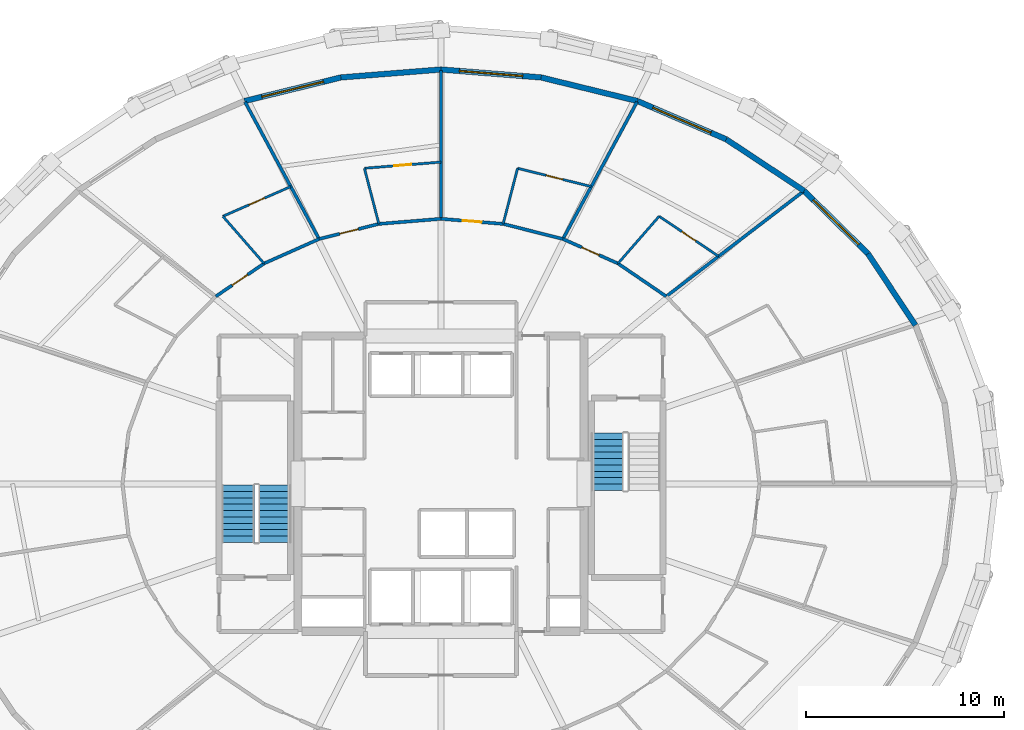
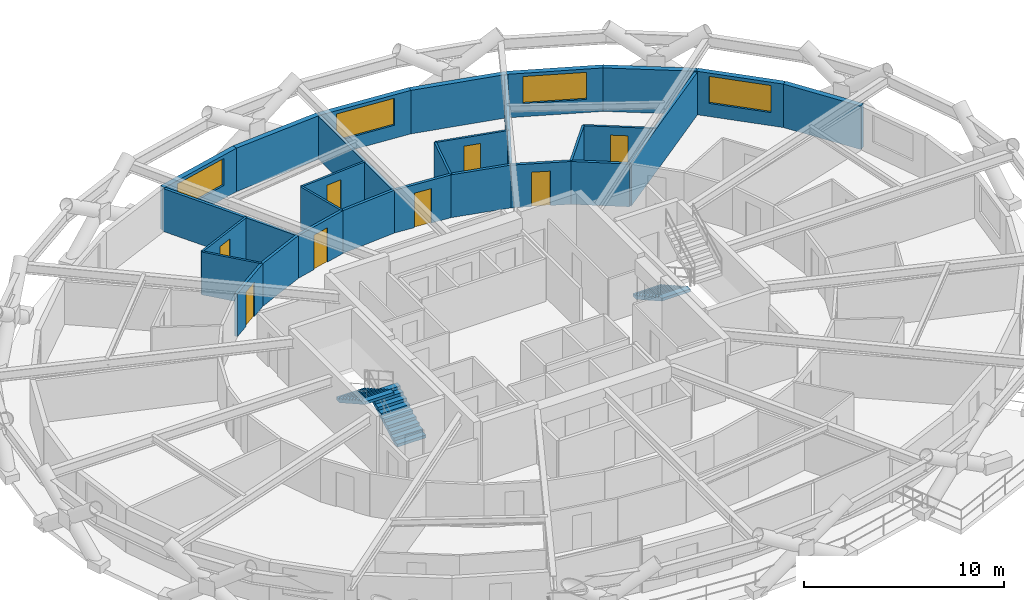
# One storey, part 11 of 13: 28 walls, 8 doors, 4 windows, 3 stair flights, 12 openings, 2 elements without a shape of their own.
"""IFC4 building model written with IfcOpenShell, lengths in metres."""

from ifc_helpers import new_model, si_unit, direction, frame, frame_2d, origin, place, context, subcontext, project, spatial, polyline, rectangle, outline, extrude, material, layer, layer_set, type_object, element, fill, aggregate, save


model = new_model("IFC4")

# Units and contexts
model_context = context("Model", 3, precision=1e-05, world=origin(), true_north=direction((0.0, 1.0)))
body_context = subcontext(model_context, "Body", "Model", "MODEL_VIEW")
ifc_project = project(units=[si_unit("LENGTHUNIT", "METRE"), si_unit("AREAUNIT", "SQUARE_METRE"), si_unit("VOLUMEUNIT", "CUBIC_METRE"), si_unit("PLANEANGLEUNIT", "RADIAN"), si_unit("MASSUNIT", "GRAM", prefix="KILO")], contexts=[model_context])

# Site, building, storey
site_placement = place(None, origin())
site = spatial("IfcSite", under=ifc_project, at=site_placement, CompositionType="ELEMENT")
building_placement = place(site_placement, origin())
building = spatial("IfcBuilding", under=site, at=building_placement, Name="Veldorina Hangang Commons", CompositionType="ELEMENT")
storey_placement = place(building_placement, frame((0.0, 0.0, 37.60009765625)))
storey = spatial("IfcBuildingStorey", under=building, at=storey_placement, Name="L08", CompositionType="ELEMENT", Elevation=37.60009765625)

# Wall
ifc_material_1 = material(Name="Stone Roman Travertine", Category="masonry")
ifc_layer_1 = layer(ifc_material_1, 0.280029296875)
ifc_layer_set_1 = layer_set([ifc_layer_1], Name="Stone Roman Travertine")
wall_type_1 = type_object("IfcWallType", Name="EW-TRAV-280", PredefinedType="STANDARD", material=ifc_layer_set_1)
wall_1_placement = place(storey_placement, frame((55.904296875, 31.988037109375, 0.0), z_axis=(0.0, 0.0, 1.0), x_axis=(-0.552329372668, 0.833625973737, 0.0)))
element("IfcWall", 1, at=wall_1_placement, inside=storey, type_object=wall_type_1, Name="L08 travertine facade wall 02", PredefinedType="STANDARD", context=body_context, shape_type="SweptSolid", body=[
    extrude(rectangle(XDim=4.3291015625, YDim=0.280029296875, at=frame_2d((2.16455078125, 0.0))), origin(), (0.0, 0.0, 1.0), 2.64990234375),
])

# Wall, opening, window
wall_2_placement = place(storey_placement, frame((53.51318359375, 35.596923828125, 0.0), z_axis=(0.0, 0.0, 1.0), x_axis=(-0.713140886871, 0.701020738262, 0.0)))
wall_2 = element("IfcWall", 2, at=wall_2_placement, inside=storey, type_object=wall_type_1, Name="L08 travertine facade wall 03", PredefinedType="STANDARD", context=body_context, shape_type="SweptSolid", body=[
    extrude(rectangle(XDim=4.51220703125, YDim=0.280029296875, at=frame_2d((2.256103515625, 0.0))), origin(), (0.0, 0.0, 1.0), 2.64990234375),
])
opening_1_placement = place(wall_2_placement, frame((0.656005859375, 0.0, 0.800048828125)))
opening_1 = element("IfcOpeningElement", 3, at=opening_1_placement, cuts=wall_2, Name="Opening W-01", PredefinedType="OPENING", context=body_context, shape_type="SweptSolid", body=[
    extrude(rectangle(XDim=3.199951171875, YDim=1.64990234375, at=frame_2d((1.60009765625, 0.824951171875))), frame((0.0, 0.14990234375, 0.0), z_axis=(0.0, -1.0, 0.0), x_axis=(1.0, 0.0, 0.0)), (0.0, 0.0, 1.0), 0.300048828125),
])
ifc_material_2 = material(Name="Glass Low-E Triple IGU", Category="glass")
window_type = type_object("IfcWindowType", Name="WIN-TWR-3200", PartitioningType="SINGLE_PANEL", PredefinedType="WINDOW", material=ifc_material_2)
window_1_placement = place(opening_1_placement, origin())
window_1 = element("IfcWindow", 4, at=window_1_placement, inside=storey, type_object=window_type, Name="L08 facade window 03", OverallHeight=1.64990234375, OverallWidth=3.199951171875, PartitioningType="SINGLE_PANEL", PredefinedType="WINDOW", context=body_context, shape_type="SweptSolid", body=[
    extrude(rectangle(XDim=3.199951171875, YDim=1.64990234375, at=frame_2d((1.60009765625, 0.824951171875))), frame((0.0, 0.030029296875, 0.0), z_axis=(0.0, -1.0, 0.0), x_axis=(1.0, 0.0, 0.0)), (0.0, 0.0, 1.0), 0.06005859375),
])
fill(opening_1, window_1)

# Wall
wall_3_placement = place(storey_placement, frame((50.29541015625, 38.760009765625, 0.0), z_axis=(0.0, 0.0, 1.0), x_axis=(-0.833795486972, 0.552073442492, 0.0)))
element("IfcWall", 5, at=wall_3_placement, inside=storey, type_object=wall_type_1, Name="L08 travertine facade wall 04", PredefinedType="STANDARD", context=body_context, shape_type="SweptSolid", body=[
    extrude(rectangle(XDim=4.7021484375, YDim=0.280029296875, at=frame_2d((2.35107421875, 0.0))), origin(), (0.0, 0.0, 1.0), 2.64990234375),
])

# Wall, opening, window
wall_4_placement = place(storey_placement, frame((46.374755859375, 41.35595703125, 0.0), z_axis=(0.0, 0.0, 1.0), x_axis=(-0.918258741023, 0.395980914356, 0.0)))
wall_4 = element("IfcWall", 6, at=wall_4_placement, inside=storey, type_object=wall_type_1, Name="L08 travertine facade wall 05", PredefinedType="STANDARD", context=body_context, shape_type="SweptSolid", body=[
    extrude(rectangle(XDim=4.871337890625, YDim=0.280029296875, at=frame_2d((2.435546875, 0.0))), origin(), (0.0, 0.0, 1.0), 2.64990234375),
])
opening_2_placement = place(wall_4_placement, frame((0.835693359375, 0.0, 0.800048828125)))
opening_2 = element("IfcOpeningElement", 7, at=opening_2_placement, cuts=wall_4, Name="Opening W-01", PredefinedType="OPENING", context=body_context, shape_type="SweptSolid", body=[
    extrude(rectangle(XDim=3.199951171875, YDim=1.64990234375, at=frame_2d((1.60009765625, 0.824951171875))), frame((0.0, 0.14990234375, 0.0), z_axis=(0.0, -1.0, 0.0), x_axis=(1.0, 0.0, 0.0)), (0.0, 0.0, 1.0), 0.300048828125),
])
window_2_placement = place(opening_2_placement, origin())
window_2 = element("IfcWindow", 8, at=window_2_placement, inside=storey, type_object=window_type, Name="L08 facade window 05", OverallHeight=1.64990234375, OverallWidth=3.199951171875, PartitioningType="SINGLE_PANEL", PredefinedType="WINDOW", context=body_context, shape_type="SweptSolid", body=[
    extrude(rectangle(XDim=3.199951171875, YDim=1.64990234375, at=frame_2d((1.60009765625, 0.824951171875))), frame((0.0, 0.030029296875, 0.0), z_axis=(0.0, -1.0, 0.0), x_axis=(1.0, 0.0, 0.0)), (0.0, 0.0, 1.0), 0.06005859375),
])
fill(opening_2, window_2)

# Wall
wall_5_placement = place(storey_placement, frame((41.901611328125, 43.284912109375, 0.0), z_axis=(0.0, 0.0, 1.0), x_axis=(-0.971343135129, 0.237681538698, 0.0)))
element("IfcWall", 9, at=wall_5_placement, inside=storey, type_object=wall_type_1, Name="L08 travertine facade wall 06", PredefinedType="STANDARD", context=body_context, shape_type="SweptSolid", body=[
    extrude(rectangle(XDim=4.997314453125, YDim=0.280029296875, at=frame_2d((2.49853515625, 0.0))), origin(), (0.0, 0.0, 1.0), 2.64990234375),
])

# Wall, opening, window
wall_6_placement = place(storey_placement, frame((37.047607421875, 44.47265625, 0.0), z_axis=(0.0, 0.0, 1.0), x_axis=(-0.996857299123, 0.079218212453, 0.0)))
wall_6 = element("IfcWall", 10, at=wall_6_placement, inside=storey, type_object=wall_type_1, Name="L08 travertine facade wall 07", PredefinedType="STANDARD", context=body_context, shape_type="SweptSolid", body=[
    extrude(rectangle(XDim=5.0634765625, YDim=0.280029296875, at=frame_2d((2.53173828125, 0.0))), origin(), (0.0, 0.0, 1.0), 2.64990234375),
])
opening_3_placement = place(wall_6_placement, frame((0.931884765625, 0.0, 0.800048828125)))
opening_3 = element("IfcOpeningElement", 11, at=opening_3_placement, cuts=wall_6, Name="Opening W-01", PredefinedType="OPENING", context=body_context, shape_type="SweptSolid", body=[
    extrude(rectangle(XDim=3.199951171875, YDim=1.64990234375, at=frame_2d((1.60009765625, 0.824951171875))), frame((0.0, 0.14990234375, 0.0), z_axis=(0.0, -1.0, 0.0), x_axis=(1.0, 0.0, 0.0)), (0.0, 0.0, 1.0), 0.300048828125),
])
window_3_placement = place(opening_3_placement, origin())
window_3 = element("IfcWindow", 12, at=window_3_placement, inside=storey, type_object=window_type, Name="L08 facade window 07", OverallHeight=1.64990234375, OverallWidth=3.199951171875, PartitioningType="SINGLE_PANEL", PredefinedType="WINDOW", context=body_context, shape_type="SweptSolid", body=[
    extrude(rectangle(XDim=3.199951171875, YDim=1.64990234375, at=frame_2d((1.60009765625, 0.824951171875))), frame((0.0, 0.030029296875, 0.0), z_axis=(0.0, -1.0, 0.0), x_axis=(1.0, 0.0, 0.0)), (0.0, 0.0, 1.0), 0.06005859375),
])
fill(opening_3, window_3)

# Wall
wall_7_placement = place(storey_placement, frame((32.0, 44.873779296875, 0.0), z_axis=(0.0, 0.0, 1.0), x_axis=(-0.996857299123, -0.079218212453, 0.0)))
element("IfcWall", 13, at=wall_7_placement, inside=storey, type_object=wall_type_1, Name="L08 travertine facade wall 08", PredefinedType="STANDARD", context=body_context, shape_type="SweptSolid", body=[
    extrude(rectangle(XDim=5.0634765625, YDim=0.280029296875, at=frame_2d((2.53173828125, 0.0))), origin(), (0.0, 0.0, 1.0), 2.64990234375),
])

# Wall, opening, window
wall_8_placement = place(storey_placement, frame((26.952392578125, 44.47265625, 0.0), z_axis=(0.0, 0.0, 1.0), x_axis=(-0.971343135129, -0.237681538698, 0.0)))
wall_8 = element("IfcWall", 14, at=wall_8_placement, inside=storey, type_object=wall_type_1, Name="L08 travertine facade wall 09", PredefinedType="STANDARD", context=body_context, shape_type="SweptSolid", body=[
    extrude(rectangle(XDim=4.997314453125, YDim=0.280029296875, at=frame_2d((2.49853515625, 0.0))), origin(), (0.0, 0.0, 1.0), 2.64990234375),
])
opening_4_placement = place(wall_8_placement, frame((0.8984375, 0.0, 0.800048828125)))
opening_4 = element("IfcOpeningElement", 15, at=opening_4_placement, cuts=wall_8, Name="Opening W-01", PredefinedType="OPENING", context=body_context, shape_type="SweptSolid", body=[
    extrude(rectangle(XDim=3.199951171875, YDim=1.64990234375, at=frame_2d((1.60009765625, 0.824951171875))), frame((0.0, 0.14990234375, 0.0), z_axis=(0.0, -1.0, 0.0), x_axis=(1.0, 0.0, 0.0)), (0.0, 0.0, 1.0), 0.300048828125),
])
window_4_placement = place(opening_4_placement, origin())
window_4 = element("IfcWindow", 16, at=window_4_placement, inside=storey, type_object=window_type, Name="L08 facade window 09", OverallHeight=1.64990234375, OverallWidth=3.199951171875, PartitioningType="SINGLE_PANEL", PredefinedType="WINDOW", context=body_context, shape_type="SweptSolid", body=[
    extrude(rectangle(XDim=3.199951171875, YDim=1.64990234375, at=frame_2d((1.60009765625, 0.824951171875))), frame((0.0, 0.030029296875, 0.0), z_axis=(0.0, -1.0, 0.0), x_axis=(1.0, 0.0, 0.0)), (0.0, 0.0, 1.0), 0.06005859375),
])
fill(opening_4, window_4)

# Wall
ifc_material_3 = material(Name="Gypsum Fire-Rated Twin Stud Wall", Category="gypsum")
ifc_layer_2 = layer(ifc_material_3, 0.159912109375)
ifc_layer_set_2 = layer_set([ifc_layer_2], Name="Gypsum Fire-Rated Twin Stud Wall")
wall_type_2 = type_object("IfcWallType", Name="WL-FIRE-160", PredefinedType="SOLIDWALL", material=ifc_layer_set_2)
wall_9_placement = place(storey_placement, frame((43.34912109375, 33.43994140625, 0.0), z_axis=(0.0, 0.0, 1.0), x_axis=(-0.825929039072, 0.563774088104, 0.0)))
element("IfcWall", 17, at=wall_9_placement, inside=storey, type_object=wall_type_2, Name="L08 Corridor outer wall 04 052", PredefinedType="SOLIDWALL", context=body_context, shape_type="SweptSolid", body=[
    extrude(rectangle(XDim=2.94482421875, YDim=0.159912109375, at=frame_2d((1.472412109375, 0.0))), origin(), (0.0, 0.0, 1.0), 2.60986328125),
])

# Wall, opening, door
wall_10_placement = place(storey_placement, frame((40.9169921875, 35.10009765625, 0.0), z_axis=(0.0, 0.0, 1.0), x_axis=(-0.913768445178, 0.406235434936, 0.0)))
wall_10 = element("IfcWall", 18, at=wall_10_placement, inside=storey, type_object=wall_type_2, Name="L08 Corridor outer wall 05 053", PredefinedType="SOLIDWALL", context=body_context, shape_type="SweptSolid", body=[
    extrude(rectangle(XDim=3.036865234375, YDim=0.159912109375, at=frame_2d((1.5185546875, 0.0))), origin(), (0.0, 0.0, 1.0), 2.60986328125),
])
opening_5_placement = place(wall_10_placement, frame((1.04345703125, 0.0, 0.0)))
opening_5 = element("IfcOpeningElement", 19, at=opening_5_placement, cuts=wall_10, Name="Opening D-03", PredefinedType="OPENING", context=body_context, shape_type="SweptSolid", body=[
    extrude(rectangle(XDim=0.949951171875, YDim=2.10009765625, at=frame_2d((0.47509765625, 1.050048828125))), frame((0.0, 0.08984375, 0.0), z_axis=(0.0, -1.0, 0.0), x_axis=(1.0, 0.0, 0.0)), (0.0, 0.0, 1.0), 0.179931640625),
])
ifc_material_4 = material(Name="Timber Fire-Rated Entrance Core", Category="wood")
door_type_1 = type_object("IfcDoorType", Name="DR-UNIT-950", OperationType="SINGLE_SWING_RIGHT", PredefinedType="DOOR", material=ifc_material_4)
door_1_placement = place(opening_5_placement, origin())
door_1 = element("IfcDoor", 20, at=door_1_placement, inside=storey, type_object=door_type_1, Name="L08 Studio 7 entrance door 033", OperationType="SINGLE_SWING_LEFT", OverallHeight=2.10009765625, OverallWidth=0.949951171875, PredefinedType="DOOR", context=body_context, shape_type="SweptSolid", body=[
    extrude(rectangle(XDim=0.949951171875, YDim=2.10009765625, at=frame_2d((0.47509765625, 1.050048828125))), frame((0.0, 0.02490234375, 0.0), z_axis=(0.0, -1.0, 0.0), x_axis=(1.0, 0.0, 0.0)), (0.0, 0.0, 1.0), 0.050048828125),
])
fill(opening_5, door_1)

# Wall
wall_11_placement = place(storey_placement, frame((38.14208984375, 36.333740234375, 0.0), z_axis=(0.0, 0.0, 1.0), x_axis=(-0.969608333194, 0.244662380029, 0.0)))
element("IfcWall", 21, at=wall_11_placement, inside=storey, type_object=wall_type_2, Name="L08 Corridor outer wall 06 054", PredefinedType="SOLIDWALL", context=body_context, shape_type="SweptSolid", body=[
    extrude(rectangle(XDim=3.10546875, YDim=0.159912109375, at=frame_2d((1.552734375, 0.0))), origin(), (0.0, 0.0, 1.0), 2.60986328125),
])

# Wall, opening, door
wall_12_placement = place(storey_placement, frame((35.131103515625, 37.093505859375, 0.0), z_axis=(0.0, 0.0, 1.0), x_axis=(-0.996658973252, 0.081675522876, 0.0)))
wall_12 = element("IfcWall", 22, at=wall_12_placement, inside=storey, type_object=wall_type_2, Name="L08 Corridor outer wall 07 055", PredefinedType="SOLIDWALL", context=body_context, shape_type="SweptSolid", body=[
    extrude(rectangle(XDim=3.1416015625, YDim=0.159912109375, at=frame_2d((1.57080078125, 0.0))), origin(), (0.0, 0.0, 1.0), 2.60986328125),
])
opening_6_placement = place(wall_12_placement, frame((1.095703125, 0.0, 0.0)))
opening_6 = element("IfcOpeningElement", 23, at=opening_6_placement, cuts=wall_12, Name="Opening D-03", PredefinedType="OPENING", context=body_context, shape_type="SweptSolid", body=[
    extrude(rectangle(XDim=0.949951171875, YDim=2.10009765625, at=frame_2d((0.47509765625, 1.050048828125))), frame((0.0, 0.08984375, 0.0), z_axis=(0.0, -1.0, 0.0), x_axis=(1.0, 0.0, 0.0)), (0.0, 0.0, 1.0), 0.179931640625),
])
door_2_placement = place(opening_6_placement, origin())
door_2 = element("IfcDoor", 24, at=door_2_placement, inside=storey, type_object=door_type_1, Name="L08 Studio 8 entrance door 035", OperationType="SINGLE_SWING_LEFT", OverallHeight=2.10009765625, OverallWidth=0.949951171875, PredefinedType="DOOR", context=body_context, shape_type="SweptSolid", body=[
    extrude(rectangle(XDim=0.949951171875, YDim=2.10009765625, at=frame_2d((0.47509765625, 1.050048828125))), frame((0.0, 0.02490234375, 0.0), z_axis=(0.0, -1.0, 0.0), x_axis=(1.0, 0.0, 0.0)), (0.0, 0.0, 1.0), 0.050048828125),
])
fill(opening_6, door_2)

# Wall
wall_13_placement = place(storey_placement, frame((32.0, 37.35009765625, 0.0), z_axis=(0.0, 0.0, 1.0), x_axis=(-0.996658973252, -0.081675522876, 0.0)))
element("IfcWall", 25, at=wall_13_placement, inside=storey, type_object=wall_type_2, Name="L08 Corridor outer wall 08 056", PredefinedType="SOLIDWALL", context=body_context, shape_type="SweptSolid", body=[
    extrude(rectangle(XDim=3.1416015625, YDim=0.159912109375, at=frame_2d((1.57080078125, 0.0))), origin(), (0.0, 0.0, 1.0), 2.60986328125),
])

# Wall, opening, door
wall_14_placement = place(storey_placement, frame((28.868896484375, 37.093505859375, 0.0), z_axis=(0.0, 0.0, 1.0), x_axis=(-0.969608333194, -0.244662380029, 0.0)))
wall_14 = element("IfcWall", 26, at=wall_14_placement, inside=storey, type_object=wall_type_2, Name="L08 Corridor outer wall 09 057", PredefinedType="SOLIDWALL", context=body_context, shape_type="SweptSolid", body=[
    extrude(rectangle(XDim=3.10546875, YDim=0.159912109375, at=frame_2d((1.552734375, 0.0))), origin(), (0.0, 0.0, 1.0), 2.60986328125),
])
opening_7_placement = place(wall_14_placement, frame((1.07763671875, 0.0, 0.0)))
opening_7 = element("IfcOpeningElement", 27, at=opening_7_placement, cuts=wall_14, Name="Opening D-03", PredefinedType="OPENING", context=body_context, shape_type="SweptSolid", body=[
    extrude(rectangle(XDim=0.949951171875, YDim=2.10009765625, at=frame_2d((0.47509765625, 1.050048828125))), frame((0.0, 0.08984375, 0.0), z_axis=(0.0, -1.0, 0.0), x_axis=(1.0, 0.0, 0.0)), (0.0, 0.0, 1.0), 0.179931640625),
])
door_3_placement = place(opening_7_placement, origin())
door_3 = element("IfcDoor", 28, at=door_3_placement, inside=storey, type_object=door_type_1, Name="L08 Studio 9 entrance door 037", OperationType="SINGLE_SWING_LEFT", OverallHeight=2.10009765625, OverallWidth=0.949951171875, PredefinedType="DOOR", context=body_context, shape_type="SweptSolid", body=[
    extrude(rectangle(XDim=0.949951171875, YDim=2.10009765625, at=frame_2d((0.47509765625, 1.050048828125))), frame((0.0, 0.02490234375, 0.0), z_axis=(0.0, -1.0, 0.0), x_axis=(1.0, 0.0, 0.0)), (0.0, 0.0, 1.0), 0.050048828125),
])
fill(opening_7, door_3)

# Wall
wall_15_placement = place(storey_placement, frame((25.85791015625, 36.333740234375, 0.0), z_axis=(0.0, 0.0, 1.0), x_axis=(-0.913768445178, -0.406235434936, 0.0)))
element("IfcWall", 29, at=wall_15_placement, inside=storey, type_object=wall_type_2, Name="L08 Corridor outer wall 10 058", PredefinedType="SOLIDWALL", context=body_context, shape_type="SweptSolid", body=[
    extrude(rectangle(XDim=3.036865234375, YDim=0.159912109375, at=frame_2d((1.5185546875, 0.0))), origin(), (0.0, 0.0, 1.0), 2.60986328125),
])

# Wall, opening, door
wall_16_placement = place(storey_placement, frame((23.0830078125, 35.10009765625, 0.0), z_axis=(0.0, 0.0, 1.0), x_axis=(-0.825929039072, -0.563774088104, 0.0)))
wall_16 = element("IfcWall", 30, at=wall_16_placement, inside=storey, type_object=wall_type_2, Name="L08 Corridor outer wall 11 059", PredefinedType="SOLIDWALL", context=body_context, shape_type="SweptSolid", body=[
    extrude(rectangle(XDim=2.94482421875, YDim=0.159912109375, at=frame_2d((1.472412109375, 0.0))), origin(), (0.0, 0.0, 1.0), 2.60986328125),
])
opening_8_placement = place(wall_16_placement, frame((0.997314453125, 0.0, 0.0)))
opening_8 = element("IfcOpeningElement", 31, at=opening_8_placement, cuts=wall_16, Name="Opening D-03", PredefinedType="OPENING", context=body_context, shape_type="SweptSolid", body=[
    extrude(rectangle(XDim=0.949951171875, YDim=2.10009765625, at=frame_2d((0.47509765625, 1.050048828125))), frame((0.0, 0.08984375, 0.0), z_axis=(0.0, -1.0, 0.0), x_axis=(1.0, 0.0, 0.0)), (0.0, 0.0, 1.0), 0.179931640625),
])
door_4_placement = place(opening_8_placement, origin())
door_4 = element("IfcDoor", 32, at=door_4_placement, inside=storey, type_object=door_type_1, Name="L08 Studio 10 entrance door 039", OperationType="SINGLE_SWING_LEFT", OverallHeight=2.10009765625, OverallWidth=0.949951171875, PredefinedType="DOOR", context=body_context, shape_type="SweptSolid", body=[
    extrude(rectangle(XDim=0.949951171875, YDim=2.10009765625, at=frame_2d((0.47509765625, 1.050048828125))), frame((0.0, 0.02490234375, 0.0), z_axis=(0.0, -1.0, 0.0), x_axis=(1.0, 0.0, 0.0)), (0.0, 0.0, 1.0), 0.050048828125),
])
fill(opening_8, door_4)

# Walls
wall_17_placement = place(storey_placement, frame((43.34912109375, 33.43994140625, 0.0), z_axis=(0.0, 0.0, 1.0), x_axis=(0.793917921688, 0.608024944902, 0.0)))
element("IfcWall", 33, at=wall_17_placement, inside=storey, type_object=wall_type_2, Name="L08 Unit party wall 04 100", PredefinedType="SOLIDWALL", context=body_context, shape_type="SweptSolid", body=[
    extrude(rectangle(XDim=8.699462890625, YDim=0.159912109375, at=frame_2d((4.349609375, 0.0))), origin(), (0.0, 0.0, 1.0), 2.60986328125),
])
wall_18_placement = place(storey_placement, frame((38.14208984375, 36.333740234375, 0.0), z_axis=(0.0, 0.0, 1.0), x_axis=(0.475710154332, 0.879602097011, 0.0)))
element("IfcWall", 34, at=wall_18_placement, inside=storey, type_object=wall_type_2, Name="L08 Unit party wall 06 103", PredefinedType="SOLIDWALL", context=body_context, shape_type="SweptSolid", body=[
    extrude(rectangle(XDim=7.852783203125, YDim=0.159912109375, at=frame_2d((3.92626953125, 0.0))), origin(), (0.0, 0.0, 1.0), 2.60986328125),
])
wall_19_placement = place(storey_placement, frame((32.0, 37.35009765625, 0.0), z_axis=(0.0, 0.0, 1.0), x_axis=(0.0, 1.0, 0.0)))
element("IfcWall", 35, at=wall_19_placement, inside=storey, type_object=wall_type_2, Name="L08 Unit party wall 08 106", PredefinedType="SOLIDWALL", context=body_context, shape_type="SweptSolid", body=[
    extrude(rectangle(XDim=7.4736328125, YDim=0.159912109375, at=frame_2d((3.73681640625, 0.0))), origin(), (0.0, 0.0, 1.0), 2.60986328125),
])
wall_20_placement = place(storey_placement, frame((25.85791015625, 36.333740234375, 0.0), z_axis=(0.0, 0.0, 1.0), x_axis=(-0.475710154332, 0.879602097011, 0.0)))
element("IfcWall", 36, at=wall_20_placement, inside=storey, type_object=wall_type_2, Name="L08 Unit party wall 10 109", PredefinedType="SOLIDWALL", context=body_context, shape_type="SweptSolid", body=[
    extrude(rectangle(XDim=7.852783203125, YDim=0.159912109375, at=frame_2d((3.92626953125, 0.0))), origin(), (0.0, 0.0, 1.0), 2.60986328125),
])

# Wall, opening, door
ifc_material_5 = material(Name="Gypsum Acoustic Stud Partition", Category="gypsum")
ifc_layer_3 = layer(ifc_material_5, 0.1201171875)
ifc_layer_set_3 = layer_set([ifc_layer_3], Name="Gypsum Acoustic Stud Partition")
wall_type_3 = type_object("IfcWallType", Name="WL-PART-120", PredefinedType="PARTITIONING", material=ifc_layer_set_3)
wall_21_placement = place(storey_placement, frame((45.98876953125, 35.46142578125, 0.0), z_axis=(0.0, 0.0, 1.0), x_axis=(-0.829829080521, 0.558017649472, 0.0)))
wall_21 = element("IfcWall", 37, at=wall_21_placement, inside=storey, type_object=wall_type_3, Name="L08 Studio 7 bath front wall 101", PredefinedType="PARTITIONING", context=body_context, shape_type="SweptSolid", body=[
    extrude(rectangle(XDim=3.612548828125, YDim=0.1201171875, at=frame_2d((1.80615234375, 0.0))), origin(), (0.0, 0.0, 1.0), 2.60986328125),
])
opening_9_placement = place(wall_21_placement, frame((1.376220703125, 0.0, 0.0)))
opening_9 = element("IfcOpeningElement", 38, at=opening_9_placement, cuts=wall_21, Name="Opening D-01", PredefinedType="OPENING", context=body_context, shape_type="SweptSolid", body=[
    extrude(rectangle(XDim=0.860107421875, YDim=2.10009765625, at=frame_2d((0.43017578125, 1.050048828125))), frame((0.0, 0.070068359375, 0.0), z_axis=(0.0, -1.0, 0.0), x_axis=(1.0, 0.0, 0.0)), (0.0, 0.0, 1.0), 0.14013671875),
])
ifc_material_6 = material(Name="Timber Moisture-Resistant Core", Category="wood")
door_type_2 = type_object("IfcDoorType", Name="DR-WET-860", OperationType="SINGLE_SWING_LEFT", PredefinedType="DOOR", material=ifc_material_6)
door_5_placement = place(opening_9_placement, origin())
door_5 = element("IfcDoor", 39, at=door_5_placement, inside=storey, type_object=door_type_2, Name="L08 Studio 7 bathroom door 032", OperationType="SINGLE_SWING_RIGHT", OverallHeight=2.10009765625, OverallWidth=0.860107421875, PredefinedType="DOOR", context=body_context, shape_type="SweptSolid", body=[
    extrude(rectangle(XDim=0.860107421875, YDim=2.10009765625, at=frame_2d((0.43017578125, 1.050048828125))), frame((0.0, 0.02490234375, 0.0), z_axis=(0.0, -1.0, 0.0), x_axis=(1.0, 0.0, 0.0)), (0.0, 0.0, 1.0), 0.050048828125),
])
fill(opening_9, door_5)

# Wall
wall_22_placement = place(storey_placement, frame((40.9169921875, 35.10009765625, 0.0), z_axis=(0.0, 0.0, 1.0), x_axis=(0.657413632061, 0.753529904105, 0.0)))
element("IfcWall", 40, at=wall_22_placement, inside=storey, type_object=wall_type_3, Name="L08 Studio 7 bath side wall 102", PredefinedType="PARTITIONING", context=body_context, shape_type="SweptSolid", body=[
    extrude(rectangle(XDim=3.15478515625, YDim=0.1201171875, at=frame_2d((1.577392578125, 0.0))), origin(), (0.0, 0.0, 1.0), 2.60986328125),
])

# Wall, opening, door
wall_23_placement = place(storey_placement, frame((39.57080078125, 38.97509765625, 0.0), z_axis=(0.0, 0.0, 1.0), x_axis=(-0.970460869448, 0.241258576781, 0.0)))
wall_23 = element("IfcWall", 41, at=wall_23_placement, inside=storey, type_object=wall_type_3, Name="L08 Studio 8 bath front wall 104", PredefinedType="PARTITIONING", context=body_context, shape_type="SweptSolid", body=[
    extrude(rectangle(XDim=3.82421875, YDim=0.1201171875, at=frame_2d((1.912109375, 0.0))), origin(), (0.0, 0.0, 1.0), 2.60986328125),
])
opening_10_placement = place(wall_23_placement, frame((1.482177734375, 0.0, 0.0)))
opening_10 = element("IfcOpeningElement", 42, at=opening_10_placement, cuts=wall_23, Name="Opening D-01", PredefinedType="OPENING", context=body_context, shape_type="SweptSolid", body=[
    extrude(rectangle(XDim=0.860107421875, YDim=2.10009765625, at=frame_2d((0.43017578125, 1.050048828125))), frame((0.0, 0.070068359375, 0.0), z_axis=(0.0, -1.0, 0.0), x_axis=(1.0, 0.0, 0.0)), (0.0, 0.0, 1.0), 0.14013671875),
])
door_6_placement = place(opening_10_placement, origin())
door_6 = element("IfcDoor", 43, at=door_6_placement, inside=storey, type_object=door_type_2, Name="L08 Studio 8 bathroom door 034", OperationType="SINGLE_SWING_RIGHT", OverallHeight=2.10009765625, OverallWidth=0.860107421875, PredefinedType="DOOR", context=body_context, shape_type="SweptSolid", body=[
    extrude(rectangle(XDim=0.860107421875, YDim=2.10009765625, at=frame_2d((0.43017578125, 1.050048828125))), frame((0.0, 0.02490234375, 0.0), z_axis=(0.0, -1.0, 0.0), x_axis=(1.0, 0.0, 0.0)), (0.0, 0.0, 1.0), 0.050048828125),
])
fill(opening_10, door_6)

# Wall
wall_24_placement = place(storey_placement, frame((35.131103515625, 37.093505859375, 0.0), z_axis=(0.0, 0.0, 1.0), x_axis=(0.251447573178, 0.967870920083, 0.0)))
element("IfcWall", 44, at=wall_24_placement, inside=storey, type_object=wall_type_3, Name="L08 Studio 8 bath side wall 105", PredefinedType="PARTITIONING", context=body_context, shape_type="SweptSolid", body=[
    extrude(rectangle(XDim=2.897216796875, YDim=0.1201171875, at=frame_2d((1.44873046875, 0.0))), origin(), (0.0, 0.0, 1.0), 2.60986328125),
])

# Wall, opening, door
wall_25_placement = place(storey_placement, frame((32.0, 40.208984375, 0.0), z_axis=(0.0, 0.0, 1.0), x_axis=(-0.996763547592, -0.080389241772, 0.0)))
wall_25 = element("IfcWall", 45, at=wall_25_placement, inside=storey, type_object=wall_type_3, Name="L08 Studio 9 bath front wall 107", PredefinedType="PARTITIONING", context=body_context, shape_type="SweptSolid", body=[
    extrude(rectangle(XDim=3.8720703125, YDim=0.1201171875, at=frame_2d((1.93603515625, 0.0))), origin(), (0.0, 0.0, 1.0), 2.60986328125),
])
opening_11_placement = place(wall_25_placement, frame((1.506103515625, 0.0, 0.0)))
opening_11 = element("IfcOpeningElement", 46, at=opening_11_placement, cuts=wall_25, Name="Opening D-01", PredefinedType="OPENING", context=body_context, shape_type="SweptSolid", body=[
    extrude(rectangle(XDim=0.860107421875, YDim=2.10009765625, at=frame_2d((0.43017578125, 1.050048828125))), frame((0.0, 0.070068359375, 0.0), z_axis=(0.0, -1.0, 0.0), x_axis=(1.0, 0.0, 0.0)), (0.0, 0.0, 1.0), 0.14013671875),
])
door_7_placement = place(opening_11_placement, origin())
door_7 = element("IfcDoor", 47, at=door_7_placement, inside=storey, type_object=door_type_2, Name="L08 Studio 9 bathroom door 036", OperationType="SINGLE_SWING_RIGHT", OverallHeight=2.10009765625, OverallWidth=0.860107421875, PredefinedType="DOOR", context=body_context, shape_type="SweptSolid", body=[
    extrude(rectangle(XDim=0.860107421875, YDim=2.10009765625, at=frame_2d((0.43017578125, 1.050048828125))), frame((0.0, 0.02490234375, 0.0), z_axis=(0.0, -1.0, 0.0), x_axis=(1.0, 0.0, 0.0)), (0.0, 0.0, 1.0), 0.050048828125),
])
fill(opening_11, door_7)

# Wall
wall_26_placement = place(storey_placement, frame((28.868896484375, 37.093505859375, 0.0), z_axis=(0.0, 0.0, 1.0), x_axis=(-0.251447573178, 0.967870920083, 0.0)))
element("IfcWall", 48, at=wall_26_placement, inside=storey, type_object=wall_type_3, Name="L08 Studio 9 bath side wall 108", PredefinedType="PARTITIONING", context=body_context, shape_type="SweptSolid", body=[
    extrude(rectangle(XDim=2.897216796875, YDim=0.1201171875, at=frame_2d((1.44873046875, 0.0))), origin(), (0.0, 0.0, 1.0), 2.60986328125),
])

# Wall, opening, door
wall_27_placement = place(storey_placement, frame((24.42919921875, 38.97509765625, 0.0), z_axis=(0.0, 0.0, 1.0), x_axis=(-0.916011707184, -0.401151532841, 0.0)))
wall_27 = element("IfcWall", 49, at=wall_27_placement, inside=storey, type_object=wall_type_3, Name="L08 Studio 10 bath front wall 110", PredefinedType="PARTITIONING", context=body_context, shape_type="SweptSolid", body=[
    extrude(rectangle(XDim=3.733642578125, YDim=0.1201171875, at=frame_2d((1.86669921875, 0.0))), origin(), (0.0, 0.0, 1.0), 2.60986328125),
])
opening_12_placement = place(wall_27_placement, frame((1.43701171875, 0.0, 0.0)))
opening_12 = element("IfcOpeningElement", 50, at=opening_12_placement, cuts=wall_27, Name="Opening D-01", PredefinedType="OPENING", context=body_context, shape_type="SweptSolid", body=[
    extrude(rectangle(XDim=0.860107421875, YDim=2.10009765625, at=frame_2d((0.43017578125, 1.050048828125))), frame((0.0, 0.070068359375, 0.0), z_axis=(0.0, -1.0, 0.0), x_axis=(1.0, 0.0, 0.0)), (0.0, 0.0, 1.0), 0.14013671875),
])
door_8_placement = place(opening_12_placement, origin())
door_8 = element("IfcDoor", 51, at=door_8_placement, inside=storey, type_object=door_type_2, Name="L08 Studio 10 bathroom door 038", OperationType="SINGLE_SWING_RIGHT", OverallHeight=2.10009765625, OverallWidth=0.860107421875, PredefinedType="DOOR", context=body_context, shape_type="SweptSolid", body=[
    extrude(rectangle(XDim=0.860107421875, YDim=2.10009765625, at=frame_2d((0.43017578125, 1.050048828125))), frame((0.0, 0.02490234375, 0.0), z_axis=(0.0, -1.0, 0.0), x_axis=(1.0, 0.0, 0.0)), (0.0, 0.0, 1.0), 0.050048828125),
])
fill(opening_12, door_8)

# Wall
wall_28_placement = place(storey_placement, frame((23.0830078125, 35.10009765625, 0.0), z_axis=(0.0, 0.0, 1.0), x_axis=(-0.657413632061, 0.753529904105, 0.0)))
element("IfcWall", 52, at=wall_28_placement, inside=storey, type_object=wall_type_3, Name="L08 Studio 10 bath side wall 111", PredefinedType="PARTITIONING", context=body_context, shape_type="SweptSolid", body=[
    extrude(rectangle(XDim=3.15478515625, YDim=0.1201171875, at=frame_2d((1.577392578125, 0.0))), origin(), (0.0, 0.0, 1.0), 2.60986328125),
])

# Stair, stair flights
ifc_material_7 = material(Name="Concrete C40/50", Category="concrete")
stair_type = type_object("IfcStairType", Name="STR-DOG-1650-20R", PredefinedType="HALF_TURN_STAIR", material=ifc_material_7)
stair_1_placement = place(storey_placement, origin())
stair_1 = element("IfcStair", 53, at=stair_1_placement, inside=storey, type_object=stair_type, Name="L08 Exit stair ST-1", PredefinedType="HALF_TURN_STAIR")
stair_flight_type = type_object("IfcStairFlightType", Name="SFL-STR-1650-20R", PredefinedType="STRAIGHT", material=ifc_material_7)
stair_flight_1_placement = place(storey_placement, frame((23.625, 21.050048828125, 0.0), z_axis=(0.0, 0.0, 1.0), x_axis=(0.0, 1.0, 0.0)))
stair_flight_1 = element("IfcStairFlight", 54, at=stair_flight_1_placement, type_object=stair_flight_type, Name="ST-1 flight 1", NumberOfRisers=10, NumberOfTreads=9, PredefinedType="STRAIGHT", RiserHeight=0.18, TreadLength=0.32, context=body_context, shape_type="SweptSolid", body=[
    extrude(outline(polyline([(0.0, 0.0), (0.0, 0.179931640625), (0.320068359375, 0.179931640625), (0.320068359375, 0.360107421875), (0.639892578125, 0.360107421875), (0.639892578125, 0.5400390625), (0.9599609375, 0.5400390625), (0.9599609375, 0.719970703125), (1.280029296875, 0.719970703125), (1.280029296875, 0.89990234375), (1.60009765625, 0.89990234375), (1.60009765625, 1.080078125), (1.919921875, 1.080078125), (1.919921875, 1.260009765625), (2.239990234375, 1.260009765625), (2.239990234375, 1.43994140625), (2.56005859375, 1.43994140625), (2.56005859375, 1.6201171875), (2.8798828125, 1.6201171875), (2.8798828125, 1.800048828125), (2.8798828125, 1.447998046875), (0.3056640625, 0.0), (0.0, 0.0)])), frame((0.0, 0.824951171875, 0.0), z_axis=(0.0, -1.0, 0.0), x_axis=(1.0, 0.0, 0.0)), (0.0, 0.0, 1.0), 1.64990234375),
])
stair_flight_2_placement = place(storey_placement, frame((21.77490234375, 23.929931640625, 1.7998046875), z_axis=(0.0, 0.0, 1.0), x_axis=(0.0, -1.0, 0.0)))
stair_flight_2 = element("IfcStairFlight", 55, at=stair_flight_2_placement, type_object=stair_flight_type, Name="ST-1 flight 2", NumberOfRisers=10, NumberOfTreads=9, PredefinedType="STRAIGHT", RiserHeight=0.18, TreadLength=0.32, context=body_context, shape_type="SweptSolid", body=[
    extrude(outline(polyline([(0.0, 0.0), (0.0, 0.179931640625), (0.320068359375, 0.179931640625), (0.320068359375, 0.360107421875), (0.639892578125, 0.360107421875), (0.639892578125, 0.5400390625), (0.9599609375, 0.5400390625), (0.9599609375, 0.719970703125), (1.280029296875, 0.719970703125), (1.280029296875, 0.89990234375), (1.60009765625, 0.89990234375), (1.60009765625, 1.080078125), (1.919921875, 1.080078125), (1.919921875, 1.260009765625), (2.239990234375, 1.260009765625), (2.239990234375, 1.43994140625), (2.56005859375, 1.43994140625), (2.56005859375, 1.6201171875), (2.8798828125, 1.6201171875), (2.8798828125, 1.800048828125), (2.8798828125, 1.447998046875), (0.3056640625, 0.0), (0.0, 0.0)])), frame((0.0, 0.824951171875, 0.0), z_axis=(0.0, -1.0, 0.0), x_axis=(1.0, 0.0, 0.0)), (0.0, 0.0, 1.0), 1.64990234375),
])
aggregate(stair_1, [stair_flight_1, stair_flight_2])

# Stair, stair flight
stair_2_placement = place(storey_placement, origin())
stair_2 = element("IfcStair", 56, at=stair_2_placement, inside=storey, type_object=stair_type, Name="L08 Exit stair ST-2", PredefinedType="HALF_TURN_STAIR")
stair_flight_3_placement = place(storey_placement, frame((40.375, 26.550048828125, 0.0), z_axis=(0.0, 0.0, 1.0), x_axis=(0.0, -1.0, 0.0)))
stair_flight_3 = element("IfcStairFlight", 57, at=stair_flight_3_placement, type_object=stair_flight_type, Name="ST-2 flight 1", NumberOfRisers=10, NumberOfTreads=9, PredefinedType="STRAIGHT", RiserHeight=0.18, TreadLength=0.32, context=body_context, shape_type="SweptSolid", body=[
    extrude(outline(polyline([(0.0, 0.0), (0.0, 0.179931640625), (0.320068359375, 0.179931640625), (0.320068359375, 0.360107421875), (0.639892578125, 0.360107421875), (0.639892578125, 0.5400390625), (0.9599609375, 0.5400390625), (0.9599609375, 0.719970703125), (1.280029296875, 0.719970703125), (1.280029296875, 0.89990234375), (1.60009765625, 0.89990234375), (1.60009765625, 1.080078125), (1.919921875, 1.080078125), (1.919921875, 1.260009765625), (2.239990234375, 1.260009765625), (2.239990234375, 1.43994140625), (2.56005859375, 1.43994140625), (2.56005859375, 1.6201171875), (2.8798828125, 1.6201171875), (2.8798828125, 1.800048828125), (2.8798828125, 1.447998046875), (0.3056640625, 0.0), (0.0, 0.0)])), frame((0.0, 0.824951171875, 0.0), z_axis=(0.0, -1.0, 0.0), x_axis=(1.0, 0.0, 0.0)), (0.0, 0.0, 1.0), 1.64990234375),
])
aggregate(stair_2, [stair_flight_3])

save(model, "model.ifc")
